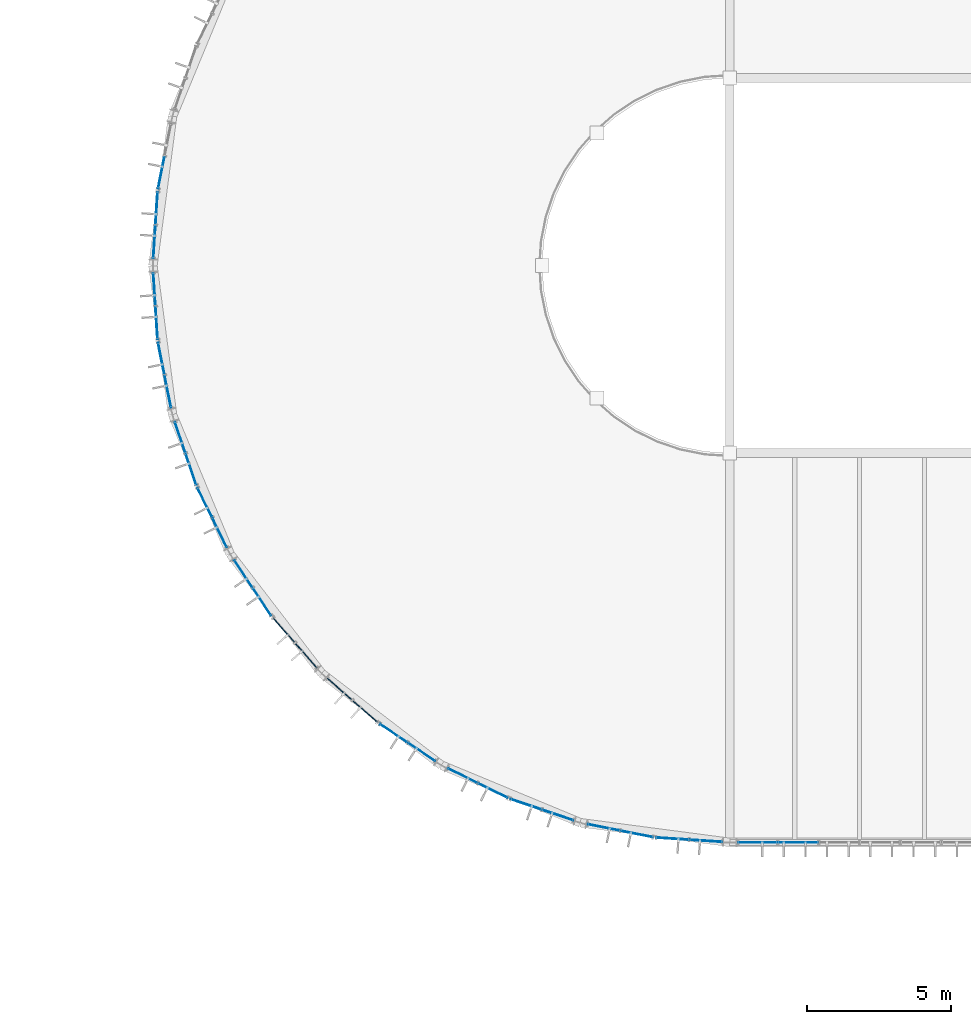
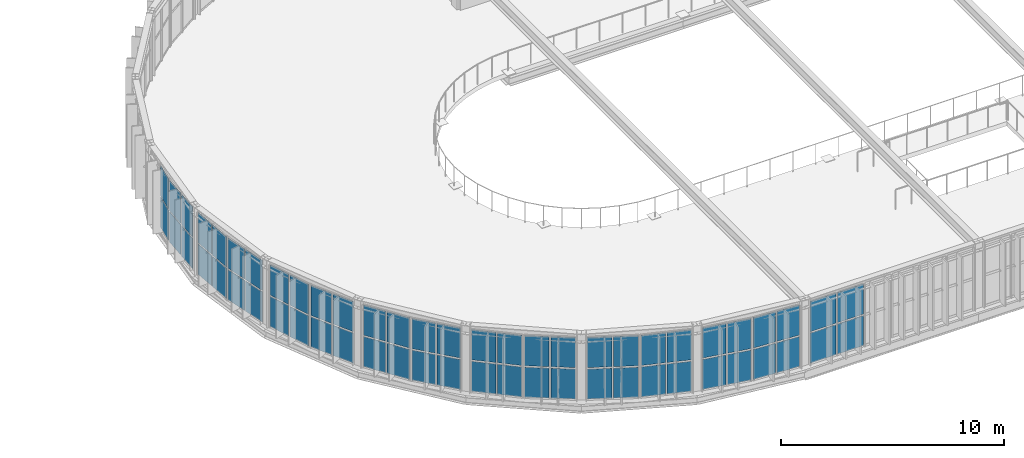
# One storey, part 104 of 152: 58 plates, 15 elements without a shape of their own.
"""IFC4 building model written with IfcOpenShell, lengths in metres."""

from ifc_helpers import new_model, si_unit, derived_unit, direction, frame, origin, origin_2d, place, context, subcontext, project, spatial, rectangle, extrude, material, layer, layer_set, type_object, element, aggregate, save


model = new_model("IFC4")

# Units and contexts
model_context = context("Model", 3, precision=1e-05, world=origin(), true_north=direction((0.0, 1.0)))
body_context = subcontext(model_context, "Body", "Model", "MODEL_VIEW")
ifc_project = project(units=[si_unit("LENGTHUNIT", "METRE"), si_unit("AREAUNIT", "SQUARE_METRE"), si_unit("VOLUMEUNIT", "CUBIC_METRE"), si_unit("PLANEANGLEUNIT", "RADIAN"), si_unit("MASSUNIT", "GRAM", prefix="KILO"), si_unit("THERMODYNAMICTEMPERATUREUNIT", "KELVIN"), si_unit("TIMEUNIT", "SECOND"), derived_unit("THERMALTRANSMITTANCEUNIT", [(si_unit("MASSUNIT", "GRAM", prefix="KILO"), 1), (si_unit("THERMODYNAMICTEMPERATUREUNIT", "KELVIN"), -1), (si_unit("TIMEUNIT", "SECOND"), -3)])], contexts=[model_context])

# Site, building, storey
site_placement = place(None, origin())
site = spatial("IfcSite", under=ifc_project, at=site_placement, CompositionType="ELEMENT")
building_placement = place(site_placement, origin())
building = spatial("IfcBuilding", under=site, at=building_placement, Name="Cambertide Market Hall", CompositionType="ELEMENT")
storey_placement = place(building_placement, frame((0.0, 0.0, 5.39990234375)))
storey = spatial("IfcBuildingStorey", under=building, at=storey_placement, Name="L02", CompositionType="ELEMENT", Elevation=5.39990234375)

# Curtain wall, plates
ifc_material_1 = material(Name="Marine Anodized Aluminium 6063-T6 AA25", Category="aluminium")
curtain_wall_type_1 = type_object("IfcCurtainWallType", Name="Lantern Straight Upper Curtain Wall", PredefinedType="USERDEFINED", material=ifc_material_1)
curtain_wall_1_placement = place(storey_placement, origin())
curtain_wall_1 = element("IfcCurtainWall", 1, at=curtain_wall_1_placement, inside=storey, type_object=curtain_wall_type_1, Name="Level 2 Curtain Wall CW-V1S-L02-1", ObjectType="UNITIZED CURTAIN WALL", PredefinedType="USERDEFINED")
ifc_material_2 = material(Name="Low-E Laminated Insulated Glass", Category="glass")
ifc_layer = layer(ifc_material_2, 0.028076171875, Name="Vision Insulated Glazing Panel 28")
ifc_layer_set = layer_set([ifc_layer], Name="Low-E Laminated Insulated Glass")
plate_type = type_object("IfcPlateType", Name="Vision Insulated Glazing Panel 28", PredefinedType="CURTAIN_PANEL", material=ifc_layer_set)
plate_1_placement = place(storey_placement, frame((44.375, 52.0, 0.0400390625), z_axis=(0.0, 0.0, 1.0), x_axis=(-1.0, 0.0, 0.0)))
plate_1 = element("IfcPlate", 2, at=plate_1_placement, type_object=plate_type, Name="CW-V1S-L02-1 Glazing Panel 1-5", PredefinedType="CURTAIN_PANEL", context=body_context, shape_type="SweptSolid", body=[
    extrude(rectangle(XDim=1.336669921875, YDim=0.028076171875, at=origin_2d()), origin(), (0.0, 0.0, 1.0), 1.64501953125),
])
plate_2_placement = place(storey_placement, frame((42.958251953125, 52.0, 0.0400390625), z_axis=(0.0, 0.0, 1.0), x_axis=(-1.0, 0.0, 0.0)))
plate_2 = element("IfcPlate", 3, at=plate_2_placement, type_object=plate_type, Name="CW-V1S-L02-1 Glazing Panel 1-6", PredefinedType="CURTAIN_PANEL", context=body_context, shape_type="SweptSolid", body=[
    extrude(rectangle(XDim=1.336669921875, YDim=0.028076171875, at=origin_2d()), origin(), (0.0, 0.0, 1.0), 1.64501953125),
])
plate_3_placement = place(storey_placement, frame((44.375, 52.0, 1.76513671875), z_axis=(0.0, 0.0, 1.0), x_axis=(-1.0, 0.0, 0.0)))
plate_3 = element("IfcPlate", 4, at=plate_3_placement, type_object=plate_type, Name="CW-V1S-L02-1 Glazing Panel 2-5", PredefinedType="CURTAIN_PANEL", context=body_context, shape_type="SweptSolid", body=[
    extrude(rectangle(XDim=1.336669921875, YDim=0.028076171875, at=origin_2d()), origin(), (0.0, 0.0, 1.0), 1.64501953125),
])
plate_4_placement = place(storey_placement, frame((42.958251953125, 52.0, 1.76513671875), z_axis=(0.0, 0.0, 1.0), x_axis=(-1.0, 0.0, 0.0)))
plate_4 = element("IfcPlate", 5, at=plate_4_placement, type_object=plate_type, Name="CW-V1S-L02-1 Glazing Panel 2-6", PredefinedType="CURTAIN_PANEL", context=body_context, shape_type="SweptSolid", body=[
    extrude(rectangle(XDim=1.336669921875, YDim=0.028076171875, at=origin_2d()), origin(), (0.0, 0.0, 1.0), 1.64501953125),
])
aggregate(curtain_wall_1, [plate_1, plate_2, plate_3, plate_4])

ifc_material_3 = material(Name="Marine Anodized Aluminium 6063-T6 AA25", Category="aluminium")
curtain_wall_type_2 = type_object("IfcCurtainWallType", Name="Lantern Apse Chord Upper Curtain Wall", PredefinedType="USERDEFINED", material=ifc_material_3)
curtain_wall_2_placement = place(storey_placement, origin())
curtain_wall_2 = element("IfcCurtainWall", 6, at=curtain_wall_2_placement, inside=storey, type_object=curtain_wall_type_2, Name="Level 2 Curtain Wall CW-V1AW-L02-11", ObjectType="UNITIZED CURTAIN WALL", PredefinedType="USERDEFINED")
plate_5_placement = place(storey_placement, frame((22.291015625, 75.212646484375, 0.0400390625), z_axis=(0.0, 0.0, 1.0), x_axis=(0.195090068226, 0.980785330885, 0.0)))
plate_5 = element("IfcPlate", 7, at=plate_5_placement, type_object=plate_type, Name="CW-V1AW-L02-11 Glazing Panel 1-1", PredefinedType="CURTAIN_PANEL", context=body_context, shape_type="SweptSolid", body=[
    extrude(rectangle(XDim=1.108154296875, YDim=0.028076171875, at=origin_2d()), origin(), (0.0, 0.0, 1.0), 1.64501953125),
])
plate_6_placement = place(storey_placement, frame((22.291015625, 75.212646484375, 1.76513671875), z_axis=(0.0, 0.0, 1.0), x_axis=(0.195090068226, 0.980785330885, 0.0)))
plate_6 = element("IfcPlate", 8, at=plate_6_placement, type_object=plate_type, Name="CW-V1AW-L02-11 Glazing Panel 2-1", PredefinedType="CURTAIN_PANEL", context=body_context, shape_type="SweptSolid", body=[
    extrude(rectangle(XDim=1.108154296875, YDim=0.028076171875, at=origin_2d()), origin(), (0.0, 0.0, 1.0), 1.64501953125),
])
aggregate(curtain_wall_2, [plate_5, plate_6])

curtain_wall_3_placement = place(storey_placement, origin())
curtain_wall_3 = element("IfcCurtainWall", 9, at=curtain_wall_3_placement, inside=storey, type_object=curtain_wall_type_2, Name="Level 2 Curtain Wall CW-V1AW-L02-12", ObjectType="UNITIZED CURTAIN WALL", PredefinedType="USERDEFINED")
plate_7_placement = place(storey_placement, frame((22.05322265625, 72.812255859375, 0.0400390625), z_axis=(0.0, 0.0, 1.0), x_axis=(0.065403211921, 0.997858917819, 0.0)))
plate_7 = element("IfcPlate", 10, at=plate_7_placement, type_object=plate_type, Name="CW-V1AW-L02-12 Glazing Panel 1-1", PredefinedType="CURTAIN_PANEL", context=body_context, shape_type="SweptSolid", body=[
    extrude(rectangle(XDim=1.108154296875, YDim=0.028076171875, at=origin_2d()), origin(), (0.0, 0.0, 1.0), 1.64501953125),
])
plate_8_placement = place(storey_placement, frame((22.130859375, 73.997802734375, 0.0400390625), z_axis=(0.0, 0.0, 1.0), x_axis=(0.065403211921, 0.997858917819, 0.0)))
plate_8 = element("IfcPlate", 11, at=plate_8_placement, type_object=plate_type, Name="CW-V1AW-L02-12 Glazing Panel 1-2", PredefinedType="CURTAIN_PANEL", context=body_context, shape_type="SweptSolid", body=[
    extrude(rectangle(XDim=1.108154296875, YDim=0.028076171875, at=origin_2d()), origin(), (0.0, 0.0, 1.0), 1.64501953125),
])
plate_9_placement = place(storey_placement, frame((22.05322265625, 72.812255859375, 1.76513671875), z_axis=(0.0, 0.0, 1.0), x_axis=(0.065403211921, 0.997858917819, 0.0)))
plate_9 = element("IfcPlate", 12, at=plate_9_placement, type_object=plate_type, Name="CW-V1AW-L02-12 Glazing Panel 2-1", PredefinedType="CURTAIN_PANEL", context=body_context, shape_type="SweptSolid", body=[
    extrude(rectangle(XDim=1.108154296875, YDim=0.028076171875, at=origin_2d()), origin(), (0.0, 0.0, 1.0), 1.64501953125),
])
plate_10_placement = place(storey_placement, frame((22.130859375, 73.997802734375, 1.76513671875), z_axis=(0.0, 0.0, 1.0), x_axis=(0.065403211921, 0.997858917819, 0.0)))
plate_10 = element("IfcPlate", 13, at=plate_10_placement, type_object=plate_type, Name="CW-V1AW-L02-12 Glazing Panel 2-2", PredefinedType="CURTAIN_PANEL", context=body_context, shape_type="SweptSolid", body=[
    extrude(rectangle(XDim=1.108154296875, YDim=0.028076171875, at=origin_2d()), origin(), (0.0, 0.0, 1.0), 1.64501953125),
])
aggregate(curtain_wall_3, [plate_7, plate_8, plate_9, plate_10])

curtain_wall_4_placement = place(storey_placement, origin())
curtain_wall_4 = element("IfcCurtainWall", 14, at=curtain_wall_4_placement, inside=storey, type_object=curtain_wall_type_2, Name="Level 2 Curtain Wall CW-V1AW-L02-13", ObjectType="UNITIZED CURTAIN WALL", PredefinedType="USERDEFINED")
plate_11_placement = place(storey_placement, frame((22.130859375, 70.002197265625, 0.0400390625), z_axis=(0.0, 0.0, 1.0), x_axis=(-0.065403211921, 0.997858917819, 0.0)))
plate_11 = element("IfcPlate", 15, at=plate_11_placement, type_object=plate_type, Name="CW-V1AW-L02-13 Glazing Panel 1-1", PredefinedType="CURTAIN_PANEL", context=body_context, shape_type="SweptSolid", body=[
    extrude(rectangle(XDim=1.108154296875, YDim=0.028076171875, at=origin_2d()), origin(), (0.0, 0.0, 1.0), 1.64501953125),
])
plate_12_placement = place(storey_placement, frame((22.05322265625, 71.187744140625, 0.0400390625), z_axis=(0.0, 0.0, 1.0), x_axis=(-0.065403211921, 0.997858917819, 0.0)))
plate_12 = element("IfcPlate", 16, at=plate_12_placement, type_object=plate_type, Name="CW-V1AW-L02-13 Glazing Panel 1-2", PredefinedType="CURTAIN_PANEL", context=body_context, shape_type="SweptSolid", body=[
    extrude(rectangle(XDim=1.108154296875, YDim=0.028076171875, at=origin_2d()), origin(), (0.0, 0.0, 1.0), 1.64501953125),
])
plate_13_placement = place(storey_placement, frame((22.130859375, 70.002197265625, 1.76513671875), z_axis=(0.0, 0.0, 1.0), x_axis=(-0.065403211921, 0.997858917819, 0.0)))
plate_13 = element("IfcPlate", 17, at=plate_13_placement, type_object=plate_type, Name="CW-V1AW-L02-13 Glazing Panel 2-1", PredefinedType="CURTAIN_PANEL", context=body_context, shape_type="SweptSolid", body=[
    extrude(rectangle(XDim=1.108154296875, YDim=0.028076171875, at=origin_2d()), origin(), (0.0, 0.0, 1.0), 1.64501953125),
])
plate_14_placement = place(storey_placement, frame((22.05322265625, 71.187744140625, 1.76513671875), z_axis=(0.0, 0.0, 1.0), x_axis=(-0.065403211921, 0.997858917819, 0.0)))
plate_14 = element("IfcPlate", 18, at=plate_14_placement, type_object=plate_type, Name="CW-V1AW-L02-13 Glazing Panel 2-2", PredefinedType="CURTAIN_PANEL", context=body_context, shape_type="SweptSolid", body=[
    extrude(rectangle(XDim=1.108154296875, YDim=0.028076171875, at=origin_2d()), origin(), (0.0, 0.0, 1.0), 1.64501953125),
])
aggregate(curtain_wall_4, [plate_11, plate_12, plate_13, plate_14])

curtain_wall_5_placement = place(storey_placement, origin())
curtain_wall_5 = element("IfcCurtainWall", 19, at=curtain_wall_5_placement, inside=storey, type_object=curtain_wall_type_2, Name="Level 2 Curtain Wall CW-V1AW-L02-14", ObjectType="UNITIZED CURTAIN WALL", PredefinedType="USERDEFINED")
plate_15_placement = place(storey_placement, frame((22.522705078125, 67.6220703125, 0.0400390625), z_axis=(0.0, 0.0, 1.0), x_axis=(-0.195090068226, 0.980785330885, 0.0)))
plate_15 = element("IfcPlate", 20, at=plate_15_placement, type_object=plate_type, Name="CW-V1AW-L02-14 Glazing Panel 1-1", PredefinedType="CURTAIN_PANEL", context=body_context, shape_type="SweptSolid", body=[
    extrude(rectangle(XDim=1.108154296875, YDim=0.028076171875, at=origin_2d()), origin(), (0.0, 0.0, 1.0), 1.64501953125),
])
plate_16_placement = place(storey_placement, frame((22.291015625, 68.787353515625, 0.0400390625), z_axis=(0.0, 0.0, 1.0), x_axis=(-0.195090068226, 0.980785330885, 0.0)))
plate_16 = element("IfcPlate", 21, at=plate_16_placement, type_object=plate_type, Name="CW-V1AW-L02-14 Glazing Panel 1-2", PredefinedType="CURTAIN_PANEL", context=body_context, shape_type="SweptSolid", body=[
    extrude(rectangle(XDim=1.108154296875, YDim=0.028076171875, at=origin_2d()), origin(), (0.0, 0.0, 1.0), 1.64501953125),
])
plate_17_placement = place(storey_placement, frame((22.522705078125, 67.6220703125, 1.76513671875), z_axis=(0.0, 0.0, 1.0), x_axis=(-0.195090068226, 0.980785330885, 0.0)))
plate_17 = element("IfcPlate", 22, at=plate_17_placement, type_object=plate_type, Name="CW-V1AW-L02-14 Glazing Panel 2-1", PredefinedType="CURTAIN_PANEL", context=body_context, shape_type="SweptSolid", body=[
    extrude(rectangle(XDim=1.108154296875, YDim=0.028076171875, at=origin_2d()), origin(), (0.0, 0.0, 1.0), 1.64501953125),
])
plate_18_placement = place(storey_placement, frame((22.291015625, 68.787353515625, 1.76513671875), z_axis=(0.0, 0.0, 1.0), x_axis=(-0.195090068226, 0.980785330885, 0.0)))
plate_18 = element("IfcPlate", 23, at=plate_18_placement, type_object=plate_type, Name="CW-V1AW-L02-14 Glazing Panel 2-2", PredefinedType="CURTAIN_PANEL", context=body_context, shape_type="SweptSolid", body=[
    extrude(rectangle(XDim=1.108154296875, YDim=0.028076171875, at=origin_2d()), origin(), (0.0, 0.0, 1.0), 1.64501953125),
])
aggregate(curtain_wall_5, [plate_15, plate_16, plate_17, plate_18])

curtain_wall_6_placement = place(storey_placement, origin())
curtain_wall_6 = element("IfcCurtainWall", 24, at=curtain_wall_6_placement, inside=storey, type_object=curtain_wall_type_2, Name="Level 2 Curtain Wall CW-V1AW-L02-15", ObjectType="UNITIZED CURTAIN WALL", PredefinedType="USERDEFINED")
plate_19_placement = place(storey_placement, frame((23.324951171875, 64.927734375, 0.0400390625), z_axis=(0.0, 0.0, 1.0), x_axis=(-0.32143947831, 0.94693012508, 0.0)))
plate_19 = element("IfcPlate", 25, at=plate_19_placement, type_object=plate_type, Name="CW-V1AW-L02-15 Glazing Panel 1-1", PredefinedType="CURTAIN_PANEL", context=body_context, shape_type="SweptSolid", body=[
    extrude(rectangle(XDim=1.108154296875, YDim=0.028076171875, at=origin_2d()), origin(), (0.0, 0.0, 1.0), 1.64501953125),
])
plate_20_placement = place(storey_placement, frame((22.943115234375, 66.052734375, 0.0400390625), z_axis=(0.0, 0.0, 1.0), x_axis=(-0.32143947831, 0.94693012508, 0.0)))
plate_20 = element("IfcPlate", 26, at=plate_20_placement, type_object=plate_type, Name="CW-V1AW-L02-15 Glazing Panel 1-2", PredefinedType="CURTAIN_PANEL", context=body_context, shape_type="SweptSolid", body=[
    extrude(rectangle(XDim=1.108154296875, YDim=0.028076171875, at=origin_2d()), origin(), (0.0, 0.0, 1.0), 1.64501953125),
])
plate_21_placement = place(storey_placement, frame((23.324951171875, 64.927734375, 1.76513671875), z_axis=(0.0, 0.0, 1.0), x_axis=(-0.32143947831, 0.94693012508, 0.0)))
plate_21 = element("IfcPlate", 27, at=plate_21_placement, type_object=plate_type, Name="CW-V1AW-L02-15 Glazing Panel 2-1", PredefinedType="CURTAIN_PANEL", context=body_context, shape_type="SweptSolid", body=[
    extrude(rectangle(XDim=1.108154296875, YDim=0.028076171875, at=origin_2d()), origin(), (0.0, 0.0, 1.0), 1.64501953125),
])
plate_22_placement = place(storey_placement, frame((22.943115234375, 66.052734375, 1.76513671875), z_axis=(0.0, 0.0, 1.0), x_axis=(-0.32143947831, 0.94693012508, 0.0)))
plate_22 = element("IfcPlate", 28, at=plate_22_placement, type_object=plate_type, Name="CW-V1AW-L02-15 Glazing Panel 2-2", PredefinedType="CURTAIN_PANEL", context=body_context, shape_type="SweptSolid", body=[
    extrude(rectangle(XDim=1.108154296875, YDim=0.028076171875, at=origin_2d()), origin(), (0.0, 0.0, 1.0), 1.64501953125),
])
aggregate(curtain_wall_6, [plate_19, plate_20, plate_21, plate_22])

curtain_wall_7_placement = place(storey_placement, origin())
curtain_wall_7 = element("IfcCurtainWall", 29, at=curtain_wall_7_placement, inside=storey, type_object=curtain_wall_type_2, Name="Level 2 Curtain Wall CW-V1AW-L02-16", ObjectType="UNITIZED CURTAIN WALL", PredefinedType="USERDEFINED")
plate_23_placement = place(storey_placement, frame((24.3193359375, 62.72998046875, 0.0400390625), z_axis=(0.0, 0.0, 1.0), x_axis=(-0.442288874522, 0.896872650645, 0.0)))
plate_23 = element("IfcPlate", 30, at=plate_23_placement, type_object=plate_type, Name="CW-V1AW-L02-16 Glazing Panel 1-1", PredefinedType="CURTAIN_PANEL", context=body_context, shape_type="SweptSolid", body=[
    extrude(rectangle(XDim=1.108154296875, YDim=0.028076171875, at=origin_2d()), origin(), (0.0, 0.0, 1.0), 1.64501953125),
])
plate_24_placement = place(storey_placement, frame((23.7939453125, 63.795654296875, 0.0400390625), z_axis=(0.0, 0.0, 1.0), x_axis=(-0.442288874522, 0.896872650645, 0.0)))
plate_24 = element("IfcPlate", 31, at=plate_24_placement, type_object=plate_type, Name="CW-V1AW-L02-16 Glazing Panel 1-2", PredefinedType="CURTAIN_PANEL", context=body_context, shape_type="SweptSolid", body=[
    extrude(rectangle(XDim=1.108154296875, YDim=0.028076171875, at=origin_2d()), origin(), (0.0, 0.0, 1.0), 1.64501953125),
])
plate_25_placement = place(storey_placement, frame((24.3193359375, 62.72998046875, 1.76513671875), z_axis=(0.0, 0.0, 1.0), x_axis=(-0.442288874522, 0.896872650645, 0.0)))
plate_25 = element("IfcPlate", 32, at=plate_25_placement, type_object=plate_type, Name="CW-V1AW-L02-16 Glazing Panel 2-1", PredefinedType="CURTAIN_PANEL", context=body_context, shape_type="SweptSolid", body=[
    extrude(rectangle(XDim=1.108154296875, YDim=0.028076171875, at=origin_2d()), origin(), (0.0, 0.0, 1.0), 1.64501953125),
])
plate_26_placement = place(storey_placement, frame((23.7939453125, 63.795654296875, 1.76513671875), z_axis=(0.0, 0.0, 1.0), x_axis=(-0.442288874522, 0.896872650645, 0.0)))
plate_26 = element("IfcPlate", 33, at=plate_26_placement, type_object=plate_type, Name="CW-V1AW-L02-16 Glazing Panel 2-2", PredefinedType="CURTAIN_PANEL", context=body_context, shape_type="SweptSolid", body=[
    extrude(rectangle(XDim=1.108154296875, YDim=0.028076171875, at=origin_2d()), origin(), (0.0, 0.0, 1.0), 1.64501953125),
])
aggregate(curtain_wall_7, [plate_23, plate_24, plate_25, plate_26])

curtain_wall_8_placement = place(storey_placement, origin())
curtain_wall_8 = element("IfcCurtainWall", 34, at=curtain_wall_8_placement, inside=storey, type_object=curtain_wall_type_2, Name="Level 2 Curtain Wall CW-V1AW-L02-17", ObjectType="UNITIZED CURTAIN WALL", PredefinedType="USERDEFINED")
plate_27_placement = place(storey_placement, frame((25.791748046875, 60.335205078125, 0.0400390625), z_axis=(0.0, 0.0, 1.0), x_axis=(-0.555570087582, 0.831469709481, 0.0)))
plate_27 = element("IfcPlate", 35, at=plate_27_placement, type_object=plate_type, Name="CW-V1AW-L02-17 Glazing Panel 1-1", PredefinedType="CURTAIN_PANEL", context=body_context, shape_type="SweptSolid", body=[
    extrude(rectangle(XDim=1.108154296875, YDim=0.028076171875, at=origin_2d()), origin(), (0.0, 0.0, 1.0), 1.64501953125),
])
plate_28_placement = place(storey_placement, frame((25.1318359375, 61.3232421875, 0.0400390625), z_axis=(0.0, 0.0, 1.0), x_axis=(-0.555570087582, 0.831469709481, 0.0)))
plate_28 = element("IfcPlate", 36, at=plate_28_placement, type_object=plate_type, Name="CW-V1AW-L02-17 Glazing Panel 1-2", PredefinedType="CURTAIN_PANEL", context=body_context, shape_type="SweptSolid", body=[
    extrude(rectangle(XDim=1.108154296875, YDim=0.028076171875, at=origin_2d()), origin(), (0.0, 0.0, 1.0), 1.64501953125),
])
plate_29_placement = place(storey_placement, frame((25.791748046875, 60.335205078125, 1.76513671875), z_axis=(0.0, 0.0, 1.0), x_axis=(-0.555570087582, 0.831469709481, 0.0)))
plate_29 = element("IfcPlate", 37, at=plate_29_placement, type_object=plate_type, Name="CW-V1AW-L02-17 Glazing Panel 2-1", PredefinedType="CURTAIN_PANEL", context=body_context, shape_type="SweptSolid", body=[
    extrude(rectangle(XDim=1.108154296875, YDim=0.028076171875, at=origin_2d()), origin(), (0.0, 0.0, 1.0), 1.64501953125),
])
plate_30_placement = place(storey_placement, frame((25.1318359375, 61.3232421875, 1.76513671875), z_axis=(0.0, 0.0, 1.0), x_axis=(-0.555570087582, 0.831469709481, 0.0)))
plate_30 = element("IfcPlate", 38, at=plate_30_placement, type_object=plate_type, Name="CW-V1AW-L02-17 Glazing Panel 2-2", PredefinedType="CURTAIN_PANEL", context=body_context, shape_type="SweptSolid", body=[
    extrude(rectangle(XDim=1.108154296875, YDim=0.028076171875, at=origin_2d()), origin(), (0.0, 0.0, 1.0), 1.64501953125),
])
aggregate(curtain_wall_8, [plate_27, plate_28, plate_29, plate_30])

curtain_wall_9_placement = place(storey_placement, origin())
curtain_wall_9 = element("IfcCurtainWall", 39, at=curtain_wall_9_placement, inside=storey, type_object=curtain_wall_type_2, Name="Level 2 Curtain Wall CW-V1AW-L02-18", ObjectType="UNITIZED CURTAIN WALL", PredefinedType="USERDEFINED")
plate_31_placement = place(storey_placement, frame((27.321044921875, 58.469970703125, 0.0400390625), z_axis=(0.0, 0.0, 1.0), x_axis=(-0.659345784014, 0.751839834741, 0.0)))
plate_31 = element("IfcPlate", 40, at=plate_31_placement, type_object=plate_type, Name="CW-V1AW-L02-18 Glazing Panel 1-1", PredefinedType="CURTAIN_PANEL", context=body_context, shape_type="SweptSolid", body=[
    extrude(rectangle(XDim=1.108154296875, YDim=0.028076171875, at=origin_2d()), origin(), (0.0, 0.0, 1.0), 1.64501953125),
])
plate_32_placement = place(storey_placement, frame((26.537841796875, 59.363037109375, 0.0400390625), z_axis=(0.0, 0.0, 1.0), x_axis=(-0.659345784014, 0.751839834741, 0.0)))
plate_32 = element("IfcPlate", 41, at=plate_32_placement, type_object=plate_type, Name="CW-V1AW-L02-18 Glazing Panel 1-2", PredefinedType="CURTAIN_PANEL", context=body_context, shape_type="SweptSolid", body=[
    extrude(rectangle(XDim=1.108154296875, YDim=0.028076171875, at=origin_2d()), origin(), (0.0, 0.0, 1.0), 1.64501953125),
])
plate_33_placement = place(storey_placement, frame((27.321044921875, 58.469970703125, 1.76513671875), z_axis=(0.0, 0.0, 1.0), x_axis=(-0.659345784014, 0.751839834741, 0.0)))
plate_33 = element("IfcPlate", 42, at=plate_33_placement, type_object=plate_type, Name="CW-V1AW-L02-18 Glazing Panel 2-1", PredefinedType="CURTAIN_PANEL", context=body_context, shape_type="SweptSolid", body=[
    extrude(rectangle(XDim=1.108154296875, YDim=0.028076171875, at=origin_2d()), origin(), (0.0, 0.0, 1.0), 1.64501953125),
])
plate_34_placement = place(storey_placement, frame((26.537841796875, 59.363037109375, 1.76513671875), z_axis=(0.0, 0.0, 1.0), x_axis=(-0.659345784014, 0.751839834741, 0.0)))
plate_34 = element("IfcPlate", 43, at=plate_34_placement, type_object=plate_type, Name="CW-V1AW-L02-18 Glazing Panel 2-2", PredefinedType="CURTAIN_PANEL", context=body_context, shape_type="SweptSolid", body=[
    extrude(rectangle(XDim=1.108154296875, YDim=0.028076171875, at=origin_2d()), origin(), (0.0, 0.0, 1.0), 1.64501953125),
])
aggregate(curtain_wall_9, [plate_31, plate_32, plate_33, plate_34])

curtain_wall_10_placement = place(storey_placement, origin())
curtain_wall_10 = element("IfcCurtainWall", 44, at=curtain_wall_10_placement, inside=storey, type_object=curtain_wall_type_2, Name="Level 2 Curtain Wall CW-V1AW-L02-19", ObjectType="UNITIZED CURTAIN WALL", PredefinedType="USERDEFINED")
plate_35_placement = place(storey_placement, frame((29.363037109375, 56.537841796875, 0.0400390625), z_axis=(0.0, 0.0, 1.0), x_axis=(-0.751839834741, 0.659345784014, 0.0)))
plate_35 = element("IfcPlate", 45, at=plate_35_placement, type_object=plate_type, Name="CW-V1AW-L02-19 Glazing Panel 1-1", PredefinedType="CURTAIN_PANEL", context=body_context, shape_type="SweptSolid", body=[
    extrude(rectangle(XDim=1.108154296875, YDim=0.028076171875, at=origin_2d()), origin(), (0.0, 0.0, 1.0), 1.64501953125),
])
plate_36_placement = place(storey_placement, frame((28.469970703125, 57.321044921875, 0.0400390625), z_axis=(0.0, 0.0, 1.0), x_axis=(-0.751839834741, 0.659345784014, 0.0)))
plate_36 = element("IfcPlate", 46, at=plate_36_placement, type_object=plate_type, Name="CW-V1AW-L02-19 Glazing Panel 1-2", PredefinedType="CURTAIN_PANEL", context=body_context, shape_type="SweptSolid", body=[
    extrude(rectangle(XDim=1.108154296875, YDim=0.028076171875, at=origin_2d()), origin(), (0.0, 0.0, 1.0), 1.64501953125),
])
plate_37_placement = place(storey_placement, frame((29.363037109375, 56.537841796875, 1.76513671875), z_axis=(0.0, 0.0, 1.0), x_axis=(-0.751839834741, 0.659345784014, 0.0)))
plate_37 = element("IfcPlate", 47, at=plate_37_placement, type_object=plate_type, Name="CW-V1AW-L02-19 Glazing Panel 2-1", PredefinedType="CURTAIN_PANEL", context=body_context, shape_type="SweptSolid", body=[
    extrude(rectangle(XDim=1.108154296875, YDim=0.028076171875, at=origin_2d()), origin(), (0.0, 0.0, 1.0), 1.64501953125),
])
plate_38_placement = place(storey_placement, frame((28.469970703125, 57.321044921875, 1.76513671875), z_axis=(0.0, 0.0, 1.0), x_axis=(-0.751839834741, 0.659345784014, 0.0)))
plate_38 = element("IfcPlate", 48, at=plate_38_placement, type_object=plate_type, Name="CW-V1AW-L02-19 Glazing Panel 2-2", PredefinedType="CURTAIN_PANEL", context=body_context, shape_type="SweptSolid", body=[
    extrude(rectangle(XDim=1.108154296875, YDim=0.028076171875, at=origin_2d()), origin(), (0.0, 0.0, 1.0), 1.64501953125),
])
aggregate(curtain_wall_10, [plate_35, plate_36, plate_37, plate_38])

curtain_wall_11_placement = place(storey_placement, origin())
curtain_wall_11 = element("IfcCurtainWall", 49, at=curtain_wall_11_placement, inside=storey, type_object=curtain_wall_type_2, Name="Level 2 Curtain Wall CW-V1AW-L02-20", ObjectType="UNITIZED CURTAIN WALL", PredefinedType="USERDEFINED")
plate_39_placement = place(storey_placement, frame((31.3232421875, 55.1318359375, 0.0400390625), z_axis=(0.0, 0.0, 1.0), x_axis=(-0.831469709481, 0.555570087582, 0.0)))
plate_39 = element("IfcPlate", 50, at=plate_39_placement, type_object=plate_type, Name="CW-V1AW-L02-20 Glazing Panel 1-1", PredefinedType="CURTAIN_PANEL", context=body_context, shape_type="SweptSolid", body=[
    extrude(rectangle(XDim=1.108154296875, YDim=0.028076171875, at=origin_2d()), origin(), (0.0, 0.0, 1.0), 1.64501953125),
])
plate_40_placement = place(storey_placement, frame((30.335205078125, 55.791748046875, 0.0400390625), z_axis=(0.0, 0.0, 1.0), x_axis=(-0.831469709481, 0.555570087582, 0.0)))
plate_40 = element("IfcPlate", 51, at=plate_40_placement, type_object=plate_type, Name="CW-V1AW-L02-20 Glazing Panel 1-2", PredefinedType="CURTAIN_PANEL", context=body_context, shape_type="SweptSolid", body=[
    extrude(rectangle(XDim=1.108154296875, YDim=0.028076171875, at=origin_2d()), origin(), (0.0, 0.0, 1.0), 1.64501953125),
])
plate_41_placement = place(storey_placement, frame((31.3232421875, 55.1318359375, 1.76513671875), z_axis=(0.0, 0.0, 1.0), x_axis=(-0.831469709481, 0.555570087582, 0.0)))
plate_41 = element("IfcPlate", 52, at=plate_41_placement, type_object=plate_type, Name="CW-V1AW-L02-20 Glazing Panel 2-1", PredefinedType="CURTAIN_PANEL", context=body_context, shape_type="SweptSolid", body=[
    extrude(rectangle(XDim=1.108154296875, YDim=0.028076171875, at=origin_2d()), origin(), (0.0, 0.0, 1.0), 1.64501953125),
])
plate_42_placement = place(storey_placement, frame((30.335205078125, 55.791748046875, 1.76513671875), z_axis=(0.0, 0.0, 1.0), x_axis=(-0.831469709481, 0.555570087582, 0.0)))
plate_42 = element("IfcPlate", 53, at=plate_42_placement, type_object=plate_type, Name="CW-V1AW-L02-20 Glazing Panel 2-2", PredefinedType="CURTAIN_PANEL", context=body_context, shape_type="SweptSolid", body=[
    extrude(rectangle(XDim=1.108154296875, YDim=0.028076171875, at=origin_2d()), origin(), (0.0, 0.0, 1.0), 1.64501953125),
])
aggregate(curtain_wall_11, [plate_39, plate_40, plate_41, plate_42])

curtain_wall_12_placement = place(storey_placement, origin())
curtain_wall_12 = element("IfcCurtainWall", 54, at=curtain_wall_12_placement, inside=storey, type_object=curtain_wall_type_2, Name="Level 2 Curtain Wall CW-V1AW-L02-21", ObjectType="UNITIZED CURTAIN WALL", PredefinedType="USERDEFINED")
plate_43_placement = place(storey_placement, frame((33.795654296875, 53.7939453125, 0.0400390625), z_axis=(0.0, 0.0, 1.0), x_axis=(-0.896872650645, 0.442288874522, 0.0)))
plate_43 = element("IfcPlate", 55, at=plate_43_placement, type_object=plate_type, Name="CW-V1AW-L02-21 Glazing Panel 1-1", PredefinedType="CURTAIN_PANEL", context=body_context, shape_type="SweptSolid", body=[
    extrude(rectangle(XDim=1.108154296875, YDim=0.028076171875, at=origin_2d()), origin(), (0.0, 0.0, 1.0), 1.64501953125),
])
plate_44_placement = place(storey_placement, frame((32.72998046875, 54.3193359375, 0.0400390625), z_axis=(0.0, 0.0, 1.0), x_axis=(-0.896872650645, 0.442288874522, 0.0)))
plate_44 = element("IfcPlate", 56, at=plate_44_placement, type_object=plate_type, Name="CW-V1AW-L02-21 Glazing Panel 1-2", PredefinedType="CURTAIN_PANEL", context=body_context, shape_type="SweptSolid", body=[
    extrude(rectangle(XDim=1.108154296875, YDim=0.028076171875, at=origin_2d()), origin(), (0.0, 0.0, 1.0), 1.64501953125),
])
plate_45_placement = place(storey_placement, frame((33.795654296875, 53.7939453125, 1.76513671875), z_axis=(0.0, 0.0, 1.0), x_axis=(-0.896872650645, 0.442288874522, 0.0)))
plate_45 = element("IfcPlate", 57, at=plate_45_placement, type_object=plate_type, Name="CW-V1AW-L02-21 Glazing Panel 2-1", PredefinedType="CURTAIN_PANEL", context=body_context, shape_type="SweptSolid", body=[
    extrude(rectangle(XDim=1.108154296875, YDim=0.028076171875, at=origin_2d()), origin(), (0.0, 0.0, 1.0), 1.64501953125),
])
plate_46_placement = place(storey_placement, frame((32.72998046875, 54.3193359375, 1.76513671875), z_axis=(0.0, 0.0, 1.0), x_axis=(-0.896872650645, 0.442288874522, 0.0)))
plate_46 = element("IfcPlate", 58, at=plate_46_placement, type_object=plate_type, Name="CW-V1AW-L02-21 Glazing Panel 2-2", PredefinedType="CURTAIN_PANEL", context=body_context, shape_type="SweptSolid", body=[
    extrude(rectangle(XDim=1.108154296875, YDim=0.028076171875, at=origin_2d()), origin(), (0.0, 0.0, 1.0), 1.64501953125),
])
aggregate(curtain_wall_12, [plate_43, plate_44, plate_45, plate_46])

curtain_wall_13_placement = place(storey_placement, origin())
curtain_wall_13 = element("IfcCurtainWall", 59, at=curtain_wall_13_placement, inside=storey, type_object=curtain_wall_type_2, Name="Level 2 Curtain Wall CW-V1AW-L02-22", ObjectType="UNITIZED CURTAIN WALL", PredefinedType="USERDEFINED")
plate_47_placement = place(storey_placement, frame((36.052734375, 52.943115234375, 0.0400390625), z_axis=(0.0, 0.0, 1.0), x_axis=(-0.94693012508, 0.32143947831, 0.0)))
plate_47 = element("IfcPlate", 60, at=plate_47_placement, type_object=plate_type, Name="CW-V1AW-L02-22 Glazing Panel 1-1", PredefinedType="CURTAIN_PANEL", context=body_context, shape_type="SweptSolid", body=[
    extrude(rectangle(XDim=1.108154296875, YDim=0.028076171875, at=origin_2d()), origin(), (0.0, 0.0, 1.0), 1.64501953125),
])
plate_48_placement = place(storey_placement, frame((34.927734375, 53.324951171875, 0.0400390625), z_axis=(0.0, 0.0, 1.0), x_axis=(-0.94693012508, 0.32143947831, 0.0)))
plate_48 = element("IfcPlate", 61, at=plate_48_placement, type_object=plate_type, Name="CW-V1AW-L02-22 Glazing Panel 1-2", PredefinedType="CURTAIN_PANEL", context=body_context, shape_type="SweptSolid", body=[
    extrude(rectangle(XDim=1.108154296875, YDim=0.028076171875, at=origin_2d()), origin(), (0.0, 0.0, 1.0), 1.64501953125),
])
plate_49_placement = place(storey_placement, frame((36.052734375, 52.943115234375, 1.76513671875), z_axis=(0.0, 0.0, 1.0), x_axis=(-0.94693012508, 0.32143947831, 0.0)))
plate_49 = element("IfcPlate", 62, at=plate_49_placement, type_object=plate_type, Name="CW-V1AW-L02-22 Glazing Panel 2-1", PredefinedType="CURTAIN_PANEL", context=body_context, shape_type="SweptSolid", body=[
    extrude(rectangle(XDim=1.108154296875, YDim=0.028076171875, at=origin_2d()), origin(), (0.0, 0.0, 1.0), 1.64501953125),
])
plate_50_placement = place(storey_placement, frame((34.927734375, 53.324951171875, 1.76513671875), z_axis=(0.0, 0.0, 1.0), x_axis=(-0.94693012508, 0.32143947831, 0.0)))
plate_50 = element("IfcPlate", 63, at=plate_50_placement, type_object=plate_type, Name="CW-V1AW-L02-22 Glazing Panel 2-2", PredefinedType="CURTAIN_PANEL", context=body_context, shape_type="SweptSolid", body=[
    extrude(rectangle(XDim=1.108154296875, YDim=0.028076171875, at=origin_2d()), origin(), (0.0, 0.0, 1.0), 1.64501953125),
])
aggregate(curtain_wall_13, [plate_47, plate_48, plate_49, plate_50])

curtain_wall_14_placement = place(storey_placement, origin())
curtain_wall_14 = element("IfcCurtainWall", 64, at=curtain_wall_14_placement, inside=storey, type_object=curtain_wall_type_2, Name="Level 2 Curtain Wall CW-V1AW-L02-23", ObjectType="UNITIZED CURTAIN WALL", PredefinedType="USERDEFINED")
plate_51_placement = place(storey_placement, frame((38.787353515625, 52.291015625, 0.0400390625), z_axis=(0.0, 0.0, 1.0), x_axis=(-0.980785330885, 0.195090068226, 0.0)))
plate_51 = element("IfcPlate", 65, at=plate_51_placement, type_object=plate_type, Name="CW-V1AW-L02-23 Glazing Panel 1-1", PredefinedType="CURTAIN_PANEL", context=body_context, shape_type="SweptSolid", body=[
    extrude(rectangle(XDim=1.108154296875, YDim=0.028076171875, at=origin_2d()), origin(), (0.0, 0.0, 1.0), 1.64501953125),
])
plate_52_placement = place(storey_placement, frame((37.6220703125, 52.522705078125, 0.0400390625), z_axis=(0.0, 0.0, 1.0), x_axis=(-0.980785330885, 0.195090068226, 0.0)))
plate_52 = element("IfcPlate", 66, at=plate_52_placement, type_object=plate_type, Name="CW-V1AW-L02-23 Glazing Panel 1-2", PredefinedType="CURTAIN_PANEL", context=body_context, shape_type="SweptSolid", body=[
    extrude(rectangle(XDim=1.108154296875, YDim=0.028076171875, at=origin_2d()), origin(), (0.0, 0.0, 1.0), 1.64501953125),
])
plate_53_placement = place(storey_placement, frame((38.787353515625, 52.291015625, 1.76513671875), z_axis=(0.0, 0.0, 1.0), x_axis=(-0.980785330885, 0.195090068226, 0.0)))
plate_53 = element("IfcPlate", 67, at=plate_53_placement, type_object=plate_type, Name="CW-V1AW-L02-23 Glazing Panel 2-1", PredefinedType="CURTAIN_PANEL", context=body_context, shape_type="SweptSolid", body=[
    extrude(rectangle(XDim=1.108154296875, YDim=0.028076171875, at=origin_2d()), origin(), (0.0, 0.0, 1.0), 1.64501953125),
])
plate_54_placement = place(storey_placement, frame((37.6220703125, 52.522705078125, 1.76513671875), z_axis=(0.0, 0.0, 1.0), x_axis=(-0.980785330885, 0.195090068226, 0.0)))
plate_54 = element("IfcPlate", 68, at=plate_54_placement, type_object=plate_type, Name="CW-V1AW-L02-23 Glazing Panel 2-2", PredefinedType="CURTAIN_PANEL", context=body_context, shape_type="SweptSolid", body=[
    extrude(rectangle(XDim=1.108154296875, YDim=0.028076171875, at=origin_2d()), origin(), (0.0, 0.0, 1.0), 1.64501953125),
])
aggregate(curtain_wall_14, [plate_51, plate_52, plate_53, plate_54])

curtain_wall_15_placement = place(storey_placement, origin())
curtain_wall_15 = element("IfcCurtainWall", 69, at=curtain_wall_15_placement, inside=storey, type_object=curtain_wall_type_2, Name="Level 2 Curtain Wall CW-V1AW-L02-24", ObjectType="UNITIZED CURTAIN WALL", PredefinedType="USERDEFINED")
plate_55_placement = place(storey_placement, frame((41.187744140625, 52.05322265625, 0.0400390625), z_axis=(0.0, 0.0, 1.0), x_axis=(-0.997858917819, 0.065403211921, 0.0)))
plate_55 = element("IfcPlate", 70, at=plate_55_placement, type_object=plate_type, Name="CW-V1AW-L02-24 Glazing Panel 1-1", PredefinedType="CURTAIN_PANEL", context=body_context, shape_type="SweptSolid", body=[
    extrude(rectangle(XDim=1.108154296875, YDim=0.028076171875, at=origin_2d()), origin(), (0.0, 0.0, 1.0), 1.64501953125),
])
plate_56_placement = place(storey_placement, frame((40.002197265625, 52.130859375, 0.0400390625), z_axis=(0.0, 0.0, 1.0), x_axis=(-0.997858917819, 0.065403211921, 0.0)))
plate_56 = element("IfcPlate", 71, at=plate_56_placement, type_object=plate_type, Name="CW-V1AW-L02-24 Glazing Panel 1-2", PredefinedType="CURTAIN_PANEL", context=body_context, shape_type="SweptSolid", body=[
    extrude(rectangle(XDim=1.108154296875, YDim=0.028076171875, at=origin_2d()), origin(), (0.0, 0.0, 1.0), 1.64501953125),
])
plate_57_placement = place(storey_placement, frame((41.187744140625, 52.05322265625, 1.76513671875), z_axis=(0.0, 0.0, 1.0), x_axis=(-0.997858917819, 0.065403211921, 0.0)))
plate_57 = element("IfcPlate", 72, at=plate_57_placement, type_object=plate_type, Name="CW-V1AW-L02-24 Glazing Panel 2-1", PredefinedType="CURTAIN_PANEL", context=body_context, shape_type="SweptSolid", body=[
    extrude(rectangle(XDim=1.108154296875, YDim=0.028076171875, at=origin_2d()), origin(), (0.0, 0.0, 1.0), 1.64501953125),
])
plate_58_placement = place(storey_placement, frame((40.002197265625, 52.130859375, 1.76513671875), z_axis=(0.0, 0.0, 1.0), x_axis=(-0.997858917819, 0.065403211921, 0.0)))
plate_58 = element("IfcPlate", 73, at=plate_58_placement, type_object=plate_type, Name="CW-V1AW-L02-24 Glazing Panel 2-2", PredefinedType="CURTAIN_PANEL", context=body_context, shape_type="SweptSolid", body=[
    extrude(rectangle(XDim=1.108154296875, YDim=0.028076171875, at=origin_2d()), origin(), (0.0, 0.0, 1.0), 1.64501953125),
])
aggregate(curtain_wall_15, [plate_55, plate_56, plate_57, plate_58])

save(model, "model.ifc")
